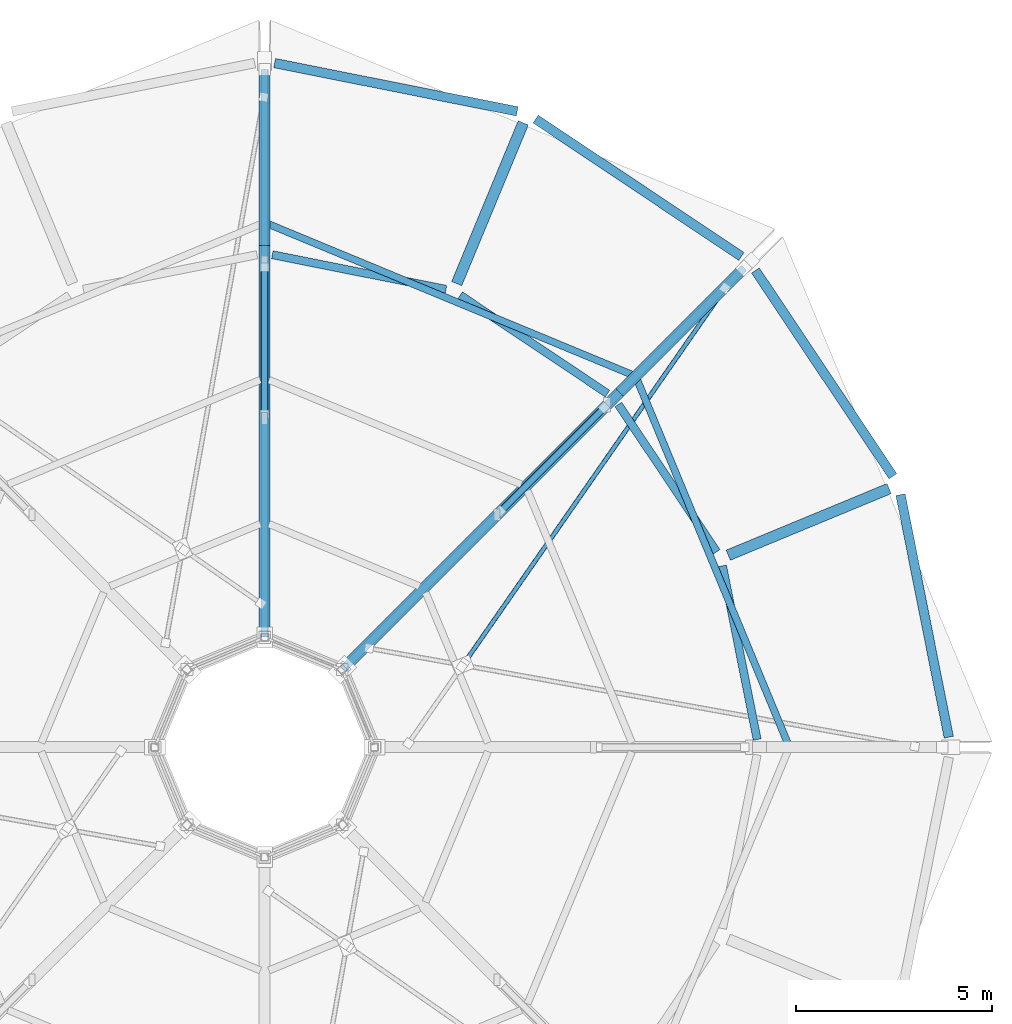
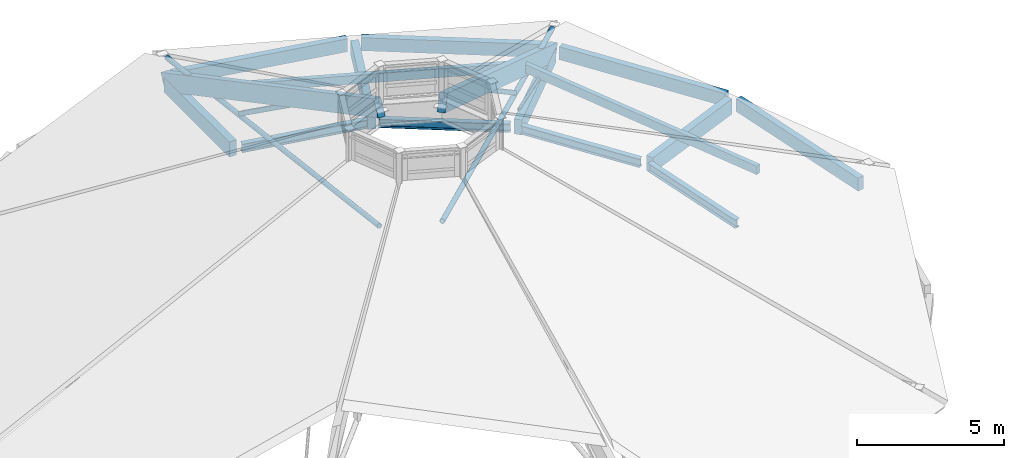
# One storey, part 38 of 66: 12 beams, 9 members.
"""IFC4 building model written with IfcOpenShell, lengths in metres."""

from ifc_helpers import new_model, si_unit, direction, frame, origin, origin_2d, place, context, subcontext, project, spatial, rectangle, hollow_rectangle, hollow_circle, i_section, extrude, material, material_profile, profile_set, type_object, element, save


model = new_model("IFC4")

# Units and contexts
model_context = context("Model", 3, precision=1e-05, world=origin(), true_north=direction((0.0, 1.0)))
body_context = subcontext(model_context, "Body", "Model", "MODEL_VIEW")
ifc_project = project(units=[si_unit("LENGTHUNIT", "METRE"), si_unit("AREAUNIT", "SQUARE_METRE"), si_unit("VOLUMEUNIT", "CUBIC_METRE"), si_unit("PLANEANGLEUNIT", "RADIAN"), si_unit("MASSUNIT", "GRAM", prefix="KILO")], contexts=[model_context])

# Site, building, storey
site_placement = place(None, origin())
site = spatial("IfcSite", under=ifc_project, at=site_placement, CompositionType="ELEMENT")
building_placement = place(site_placement, origin())
building = spatial("IfcBuilding", under=site, at=building_placement, Name="Caldaven Crescent School", CompositionType="ELEMENT")
storey_placement = place(building_placement, frame((0.0, 0.0, 8.159912109375)))
storey = spatial("IfcBuildingStorey", under=building, at=storey_placement, Name="L02", CompositionType="ELEMENT", Elevation=8.159912109375)

# Beams
ifc_material_1 = material(Name="Glulam MLE24h (GL28h)", Category="wood")
ifc_material_profile_1 = material_profile(ifc_material_1, rectangle(XDim=0.280029296875, YDim=0.6298828125, at=origin_2d()), Name="MLE 280x630")
ifc_profile_set_1 = profile_set([ifc_material_profile_1], Name="Glulam MLE24h (GL28h)")
beam_type_1 = type_object("IfcBeamType", Name="BM-GL63", PredefinedType="BEAM", material=ifc_profile_set_1)
beam_1_placement = place(storey_placement, frame((164.32568359375, 103.3984375, -0.534912109375), z_axis=(0.923891512961, 0.382654507719, 0.0), x_axis=(-0.382654507719, 0.923891512961, 0.0)))
element("IfcBeam", 1, at=beam_1_placement, inside=storey, type_object=beam_type_1, Name="BM-V1-L02-0146", PredefinedType="BEAM", context=body_context, shape_type="SweptSolid", body=[
    extrude(rectangle(XDim=0.280029296875, YDim=0.6298828125, at=origin_2d()), origin(), (0.0, 0.0, 1.0), 4.43994140625),
])
beam_2_placement = place(storey_placement, frame((161.551025390625, 107.551025390625, -0.534912109375), z_axis=(0.707106781187, 0.707106781187, 0.0), x_axis=(-0.707106781187, 0.707106781187, 0.0)))
element("IfcBeam", 2, at=beam_2_placement, inside=storey, type_object=beam_type_1, Name="BM-V1-L02-0149", PredefinedType="BEAM", context=body_context, shape_type="SweptSolid", body=[
    extrude(rectangle(XDim=0.280029296875, YDim=0.6298828125, at=origin_2d()), origin(), (0.0, 0.0, 1.0), 4.439697265625),
])
for number, where, z_axis, x_axis, name in (
    (3, (157.3984375, 110.32568359375, -0.534912109375), (0.382654507719, 0.923891512961, 0.0), (-0.923891512961, 0.382654507719, 0.0), "BM-V1-L02-0152"),
    (4, (152.5, 111.300048828125, -0.534912109375), (0.0, 1.0, 0.0), (-1.0, 0.0, 0.0), "BM-V1-L02-0155"),
):
    element("IfcBeam", number, at=place(storey_placement, frame(where, z_axis=z_axis, x_axis=x_axis)), inside=storey, type_object=beam_type_1, Name=name, PredefinedType="BEAM", context=body_context, shape_type="SweptSolid", body=[
        extrude(rectangle(XDim=0.280029296875, YDim=0.6298828125, at=origin_2d()), origin(), (0.0, 0.0, 1.0), 4.43994140625),
    ])
ifc_material_2 = material(Name="Steel ASTM A572 Grade 50", Category="steel")
ifc_material_profile_2 = material_profile(ifc_material_2, i_section(OverallWidth=0.205078125, OverallDepth=0.35400390625, WebThickness=0.009521484375, FlangeThickness=0.016845703125, FilletRadius=0.014892578125, at=origin_2d()), Name="W360x79")
ifc_profile_set_2 = profile_set([ifc_material_profile_2], Name="Steel ASTM A572 Grade 50")
beam_type_2 = type_object("IfcBeamType", Name="BM-W36", PredefinedType="BEAM", material=ifc_profile_set_2)
beam_3_placement = place(storey_placement, frame((165.06103515625, 98.696044921875, -0.39697265625), z_axis=(-0.195086890453, 0.980785962977, 0.0), x_axis=(-0.980785962977, -0.195086890453, 0.0)))
element("IfcBeam", 5, at=beam_3_placement, inside=storey, type_object=beam_type_2, Name="BM-V1-L02-0144", PredefinedType="BEAM", context=body_context, shape_type="SweptSolid", body=[
    extrude(i_section(OverallWidth=0.205078125, OverallDepth=0.35400390625, WebThickness=0.009521484375, FlangeThickness=0.016845703125, FilletRadius=0.014892578125, at=origin_2d()), origin(), (0.0, 0.0, 1.0), 4.516357421875),
])
for number, where, z_axis, x_axis, name in (
    (6, (164.02978515625, 103.488037109375, -0.39697265625), (-0.55556067933, 0.831475995794, 0.0), (-0.831475995794, -0.55556067933, 0.0), "BM-V1-L02-0147"),
    (7, (161.2431640625, 107.520751953125, -0.39697265625), (-0.831475995794, 0.55556067933, 0.0), (-0.55556067933, -0.831475995794, 0.0), "BM-V1-L02-0150"),
):
    element("IfcBeam", number, at=place(storey_placement, frame(where, z_axis=z_axis, x_axis=x_axis)), inside=storey, type_object=beam_type_2, Name=name, PredefinedType="BEAM", context=body_context, shape_type="SweptSolid", body=[
        extrude(i_section(OverallWidth=0.205078125, OverallDepth=0.35400390625, WebThickness=0.009521484375, FlangeThickness=0.016845703125, FilletRadius=0.014892578125, at=origin_2d()), origin(), (0.0, 0.0, 1.0), 4.51611328125),
    ])
beam_4_placement = place(storey_placement, frame((157.125732421875, 110.179931640625, -0.39697265625), z_axis=(-0.980785962977, 0.195086890453, 0.0), x_axis=(-0.195086890453, -0.980785962977, 0.0)))
element("IfcBeam", 8, at=beam_4_placement, inside=storey, type_object=beam_type_2, Name="BM-V1-L02-0153", PredefinedType="BEAM", context=body_context, shape_type="SweptSolid", body=[
    extrude(i_section(OverallWidth=0.205078125, OverallDepth=0.35400390625, WebThickness=0.009521484375, FlangeThickness=0.016845703125, FilletRadius=0.014892578125, at=origin_2d()), origin(), (0.0, 0.0, 1.0), 4.516357421875),
])

# Members
ifc_material_profile_3 = material_profile(ifc_material_2, hollow_circle(Radius=0.05712890625, WallThickness=0.008056640625, at=origin_2d()), Name="CHS 114.3x8.0")
ifc_profile_set_3 = profile_set([ifc_material_profile_3], Name="Steel ASTM A572 Grade 50")
member_type_1 = type_object("IfcMemberType", Name="BR-CH11", PredefinedType="BRACE", material=ifc_profile_set_3)
member_placement = place(storey_placement, frame((164.23828125, 110.20751953125, -0.49365234375), z_axis=(-0.502608493528, -0.723041750878, 0.473914896075), x_axis=(0.821105893223, -0.570775886066, 0.0)))
element("IfcMember", 9, at=member_placement, inside=storey, type_object=member_type_1, Name="RBR-V1-00-X2A", PredefinedType="BRACE", context=body_context, shape_type="SweptSolid", body=[
    extrude(hollow_circle(Radius=0.05712890625, WallThickness=0.008056640625, at=origin_2d()), origin(), (0.0, 0.0, 1.0), 13.230712890625),
])
ifc_material_profile_4 = material_profile(ifc_material_2, hollow_circle(Radius=0.096923828125, WallThickness=0.012451171875, at=origin_2d()), Name="CHS 193.7x12.5")
ifc_profile_set_4 = profile_set([ifc_material_profile_4], Name="Steel ASTM A572 Grade 50")
member_type_2 = type_object("IfcMemberType", Name="BR-CH19", PredefinedType="BRACE", material=ifc_profile_set_4)
for number, where, z_axis, x_axis, name in (
    (10, (164.719970703125, 110.719970703125, 0.52685546875), (-0.70186507673, -0.70186507673, 0.121535295839), (0.707106781187, -0.707106781187, 0.0), "TT-V1-01"),
    (11, (152.5, 115.78173828125, 0.52685546875), (0.0, -0.992587172523, 0.121534789019), (1.0, 0.0, 0.0), "TT-V1-02"),
):
    element("IfcMember", number, at=place(storey_placement, frame(where, z_axis=z_axis, x_axis=x_axis)), inside=storey, type_object=member_type_2, Name=name, PredefinedType="BRACE", context=body_context, shape_type="SweptSolid", body=[
        extrude(hollow_circle(Radius=0.096923828125, WallThickness=0.012451171875, at=origin_2d()), origin(), (0.0, 0.0, 1.0), 14.56982421875),
    ])
ifc_material_profile_5 = material_profile(ifc_material_1, rectangle(XDim=0.280029296875, YDim=0.68994140625, at=origin_2d()), Name="MLE 280x690")
ifc_profile_set_5 = profile_set([ifc_material_profile_5], Name="Glulam MLE24h (GL28h)")
member_type_3 = type_object("IfcMemberType", Name="CH-GL69", PredefinedType="CHORD", material=ifc_profile_set_5)
for number, where, z_axis, x_axis, name in (
    (12, (164.74951171875, 110.74951171875, -0.466064453125), (-0.624624322492, -0.624624322492, 0.468709837215), (0.707106781187, -0.707106781187, 0.0), "TC-V1-01"),
    (13, (152.5, 115.8232421875, -0.466064453125), (0.0, -0.883351030719, 0.468712018757), (1.0, 0.0, 0.0), "TC-V1-02"),
):
    element("IfcMember", number, at=place(storey_placement, frame(where, z_axis=z_axis, x_axis=x_axis)), inside=storey, type_object=member_type_3, Name=name, PredefinedType="CHORD", context=body_context, shape_type="SweptSolid", body=[
        extrude(rectangle(XDim=0.280029296875, YDim=0.68994140625, at=origin_2d()), origin(), (0.0, 0.0, 1.0), 16.421142578125),
    ])
ifc_material_profile_6 = material_profile(ifc_material_1, rectangle(XDim=0.179931640625, YDim=0.360107421875, at=origin_2d()), Name="MLE 180x360")
ifc_profile_set_6 = profile_set([ifc_material_profile_6], Name="Glulam MLE24h (GL28h)")
member_type_4 = type_object("IfcMemberType", Name="PR-GL36", PredefinedType="PURLIN", material=ifc_profile_set_6)
for number, where, z_axis, x_axis, name in (
    (14, (165.838134765625, 98.61083984375, 1.6240234375), (-0.382694501548, 0.923874947428, 0.0), (-0.923874947428, -0.382694501548, 0.0), "PUR-V1-00-0"),
    (15, (161.85302734375, 108.009765625, 1.6240234375), (-0.923874947428, 0.382694501548, 0.0), (-0.382694501548, -0.923874947428, 0.0), "PUR-V1-01-0"),
):
    element("IfcMember", number, at=place(storey_placement, frame(where, z_axis=z_axis, x_axis=x_axis)), inside=storey, type_object=member_type_4, Name=name, PredefinedType="PURLIN", context=body_context, shape_type="SweptSolid", body=[
        extrude(rectangle(XDim=0.179931640625, YDim=0.360107421875, at=origin_2d()), origin(), (0.0, 0.0, 1.0), 10.003662109375),
    ])

# Beams
ifc_material_profile_7 = material_profile(ifc_material_1, rectangle(XDim=0.239990234375, YDim=0.5400390625, at=origin_2d()), Name="MLE 240x540")
ifc_profile_set_7 = profile_set([ifc_material_profile_7], Name="Glulam MLE24h (GL28h)")
beam_type_3 = type_object("IfcBeamType", Name="SP-GL54", PredefinedType="SPANDREL", material=ifc_profile_set_7)
for number, where, z_axis, x_axis, name in (
    (16, (169.94921875, 98.7548828125, -0.489990234375), (-0.195096382354, 0.980784074908, 0.0), (-0.980784074908, -0.195096382354, 0.0), "BM-V1-L02-0145"),
    (17, (168.5234375, 105.4130859375, -0.489990234375), (-0.555566223399, 0.831472291432, 0.0), (-0.831472291432, -0.555566223399, 0.0), "BM-V1-L02-0148"),
    (18, (164.658203125, 111.018798828125, -0.489990234375), (-0.831472291432, 0.555566223399, 0.0), (-0.555566223399, -0.831472291432, 0.0), "BM-V1-L02-0151"),
    (19, (158.94189453125, 114.718505859375, -0.489990234375), (-0.980784074908, 0.195096382354, 0.0), (-0.195096382354, -0.980784074908, 0.0), "BM-V1-L02-0154"),
):
    element("IfcBeam", number, at=place(storey_placement, frame(where, z_axis=z_axis, x_axis=x_axis)), inside=storey, type_object=beam_type_3, Name=name, PredefinedType="SPANDREL", context=body_context, shape_type="SweptSolid", body=[
        extrude(rectangle(XDim=0.239990234375, YDim=0.5400390625, at=origin_2d()), origin(), (0.0, 0.0, 1.0), 6.308349609375),
    ])

# Members
ifc_material_profile_8 = material_profile(ifc_material_2, hollow_rectangle(XDim=0.179931640625, YDim=0.179931640625, WallThickness=0.010009765625, InnerFilletRadius=0.010009765625, OuterFilletRadius=0.02001953125, at=origin_2d()), Name="HSS 180x180x10")
ifc_profile_set_8 = profile_set([ifc_material_profile_8], Name="Steel ASTM A572 Grade 50")
member_type_5 = type_object("IfcMemberType", Name="ST-HS18", PredefinedType="STRUT", material=ifc_profile_set_8)
for number, where, z_axis, x_axis, name in (
    (20, (161.15576171875, 107.15576171875, 1.271240234375), (-0.576018141486, -0.576018141486, 0.580005345973), (0.707106781187, -0.707106781187, 0.0), "WB-V1-01"),
    (21, (152.5, 110.740966796875, 1.271240234375), (0.0, -0.81461259725, 0.580005445148), (1.0, 0.0, 0.0), "WB-V1-02"),
):
    element("IfcMember", number, at=place(storey_placement, frame(where, z_axis=z_axis, x_axis=x_axis)), inside=storey, type_object=member_type_5, Name=name, PredefinedType="STRUT", context=body_context, shape_type="SweptSolid", body=[
        extrude(hollow_rectangle(XDim=0.179931640625, YDim=0.179931640625, WallThickness=0.010009765625, InnerFilletRadius=0.010009765625, OuterFilletRadius=0.02001953125, at=origin_2d()), origin(), (0.0, 0.0, 1.0), 4.59228515625),
    ])

save(model, "model.ifc")
